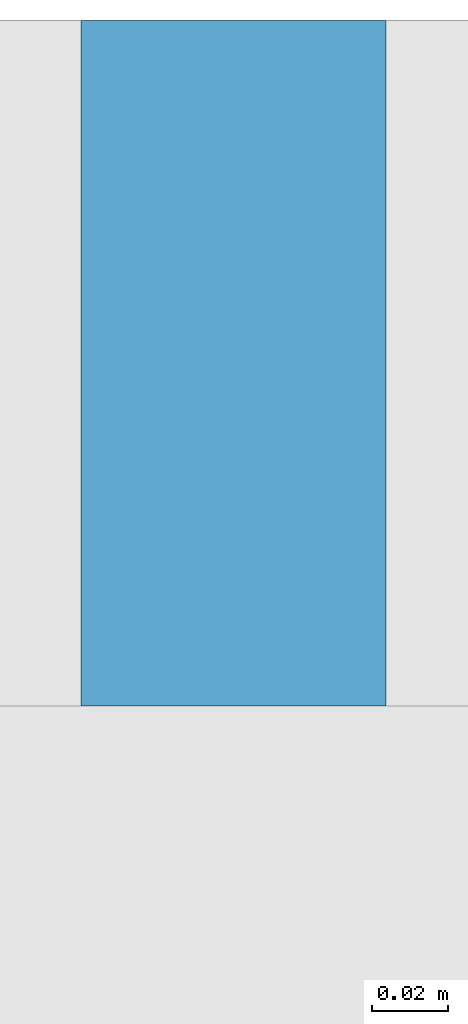
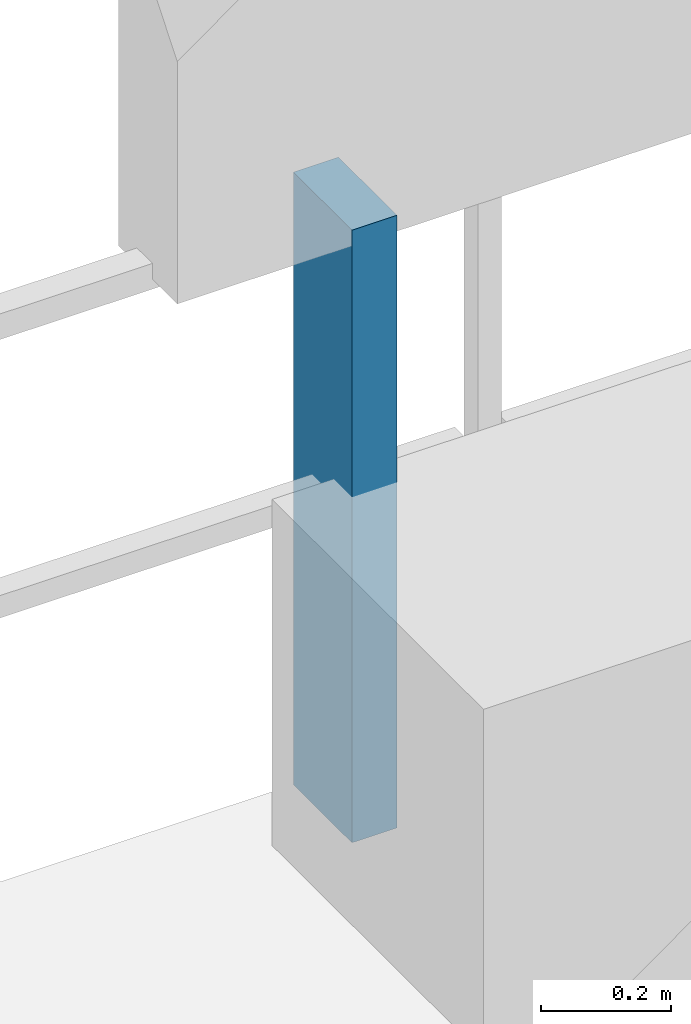
# One storey, part 24 of 29: 1 discrete accessory.
"""IFC4 building model written with IfcOpenShell, lengths in metres."""

import ifcopenshell
import ifcopenshell.guid

model = None  # the IFC model being written
_history = None  # IfcOwnerHistory: only IFC2X3 demands one
_inside = {}  # id of a spatial element -> (the spatial element, [elements in it])
_under = {}  # id of a project, library or spatial element -> (it, [spatial elements below it])
_declared = {}  # id of a project -> (the project, [libraries it declares])
_typed = {}  # id of a type object -> (the type object, [elements of that type])
_made_of = {}  # id of a material, layer set ... -> (it, [elements and type objects made of it])


def new_model(schema):
    """Start an empty IFC model of exactly this schema.

    Asked for "IFC4X3", IfcOpenShell would pick the latest addendum, in which some entities
    have other attributes; the version numbers below select the first issue.
    IFC2X3 requires an IfcOwnerHistory on every rooted entity: one is made here for all.
    """
    global model, _history
    if schema == "IFC4X3":
        model = ifcopenshell.file(schema_version=(4, 3, 0, 0))
    else:
        model = ifcopenshell.file(schema=schema)
    _inside.clear()
    _under.clear()
    _declared.clear()
    _typed.clear()
    _made_of.clear()
    _history = None
    if model.schema == "IFC2X3":
        org = make("IfcOrganization", Name="unknown")
        user = make(
            "IfcPersonAndOrganization",
            ThePerson=make("IfcPerson", FamilyName="unknown"),
            TheOrganization=org,
        )
        app = make(
            "IfcApplication",
            ApplicationDeveloper=org,
            Version="unknown",
            ApplicationFullName="unknown",
            ApplicationIdentifier="unknown",
        )
        _history = make(
            "IfcOwnerHistory",
            OwningUser=user,
            OwningApplication=app,
            ChangeAction="ADDED",
            CreationDate=0,
        )
    return model


def make(cls, **values):
    """One entity of the class cls with the attributes given. An attribute that is None is left unset."""
    return model.create_entity(
        cls, **{name: value for name, value in values.items() if value is not None}
    )


def rooted(cls, **values):
    """An entity with a GlobalId (a new one), such as an element, a storey or a relation."""
    return make(cls, GlobalId=ifcopenshell.guid.new(), OwnerHistory=_history, **values)


def si_unit(unit_type, name, prefix=None):
    """IfcSIUnit, for example si_unit("LENGTHUNIT", "METRE", prefix="MILLI")."""
    return make("IfcSIUnit", UnitType=unit_type, Prefix=prefix, Name=name)


def assignment(units):
    """IfcUnitAssignment: the units of a project."""
    return None if units is None else make("IfcUnitAssignment", Units=units)


def point(xyz):
    """IfcCartesianPoint."""
    return None if xyz is None else make("IfcCartesianPoint", Coordinates=xyz)


def direction(xyz):
    """IfcDirection."""
    return None if xyz is None else make("IfcDirection", DirectionRatios=xyz)


def frame(location, z_axis=None, x_axis=None):
    """IfcAxis2Placement3D, a coordinate frame: its origin and axes. An axis left out is left unset."""
    return make(
        "IfcAxis2Placement3D",
        Location=point(location),
        Axis=direction(z_axis),
        RefDirection=direction(x_axis),
    )


def frame_2d(location, x_axis=None):
    """IfcAxis2Placement2D, a coordinate frame in the plane: its origin and x axis."""
    return make(
        "IfcAxis2Placement2D", Location=point(location), RefDirection=direction(x_axis)
    )


def origin():
    """The frame at (0, 0, 0) with its axes left unset."""
    return frame((0.0, 0.0, 0.0))


def origin_2d():
    """The frame at (0, 0) in the plane with its x axis left unset."""
    return frame_2d((0.0, 0.0))


def place(relative_to, where):
    """IfcLocalPlacement: puts the frame where relative to a parent placement (None: the world)."""
    return make(
        "IfcLocalPlacement", PlacementRelTo=relative_to, RelativePlacement=where
    )


def context(
    kind, dimensions, precision=None, world=None, true_north=None, identifier=None
):
    """IfcGeometricRepresentationContext, for example the 3D "Model" context."""
    return make(
        "IfcGeometricRepresentationContext",
        ContextIdentifier=identifier,
        ContextType=kind,
        CoordinateSpaceDimension=dimensions,
        Precision=precision,
        WorldCoordinateSystem=world,
        TrueNorth=true_north,
    )


def subcontext(parent, identifier, kind, view, scale=None):
    """IfcGeometricRepresentationSubContext, for example "Body" below "Model"."""
    return make(
        "IfcGeometricRepresentationSubContext",
        ContextIdentifier=identifier,
        ContextType=kind,
        ParentContext=parent,
        TargetScale=scale,
        TargetView=view,
    )


def project(units=None, contexts=None):
    """IfcProject with its units and contexts."""
    return rooted(
        "IfcProject",
        Name="project",
        RepresentationContexts=contexts,
        UnitsInContext=assignment(units),
    )


def spatial(cls, under=None, at=None, **own):
    """A site, building, storey or space (cls), placed at a placement, below another one or the project."""
    s = rooted(cls, ObjectPlacement=at, **own)
    if under is not None:
        _under.setdefault(under.id(), (under, []))[1].append(s)
    return s


def profile(cls, at=None, kind="AREA", **sizes):
    """A parametric profile (cls). Its sizes go by their IFC names, for example OverallWidth=200.0."""
    return make(cls, ProfileType=kind, Position=at, **sizes)


def rectangle(**sizes):
    """IfcRectangleProfileDef."""
    return profile("IfcRectangleProfileDef", **sizes)


def extrude(swept, where, along, depth):
    """IfcExtrudedAreaSolid: the profile swept, set in the frame where, extruded along a direction by depth."""
    return make(
        "IfcExtrudedAreaSolid",
        SweptArea=swept,
        Position=where,
        ExtrudedDirection=direction(along),
        Depth=depth,
    )


def shape(context_of_items, identifier, shape_type, items):
    """IfcShapeRepresentation: the items that make up one representation, for example the "Body"."""
    return make(
        "IfcShapeRepresentation",
        ContextOfItems=context_of_items,
        RepresentationIdentifier=identifier,
        RepresentationType=shape_type,
        Items=items,
    )


def material(Name=None, Category=None):
    """IfcMaterial."""
    return make("IfcMaterial", Name=Name, Category=Category)


def made_of(thing, what):
    """Note that an element or type object is made of a material, layer set ...; save() writes the relation."""
    if what is not None:
        _made_of.setdefault(what.id(), (what, []))[1].append(thing)
    return thing


def type_object(cls, material=None, **own):
    """A type object (cls), such as IfcWallType, which elements share."""
    return made_of(rooted(cls, **own), material)


def element(
    cls,
    number,
    at=None,
    inside=None,
    cuts=None,
    type_object=None,
    material=None,
    context=None,
    identifier="Body",
    shape_type=None,
    held_by="IfcProductDefinitionShape",
    body=None,
    shapes=None,
    **own,
):
    """One element of the class cls, such as IfcWall. Its Tag is "e" and its number.

    at: its placement. inside: the storey or other place that contains it. cuts: it is an
    opening in that element (IfcRelVoidsElement). A single representation is given by context,
    identifier, shape_type and body (its items); several are given by shapes. held_by: the class
    of the entity that holds the representations. save() writes the other relations.
    """
    e = rooted(cls, Tag="e%d" % number, ObjectPlacement=at, **own)
    if body is not None:
        shapes = [shape(context, identifier, shape_type, body)]
    if shapes is not None:
        e.Representation = make(held_by, Representations=shapes)
    if inside is not None:
        _inside.setdefault(inside.id(), (inside, []))[1].append(e)
    if cuts is not None:
        rooted(
            "IfcRelVoidsElement", RelatingBuildingElement=cuts, RelatedOpeningElement=e
        )
    if type_object is not None:
        _typed.setdefault(type_object.id(), (type_object, []))[1].append(e)
    return made_of(e, material)


def aggregate(whole, parts):
    """IfcRelAggregates: a whole, such as a stair, and the parts it consists of."""
    return rooted("IfcRelAggregates", RelatingObject=whole, RelatedObjects=parts)


def save(model, path):
    """Write the relations noted so far, then the file.

    IfcRelAggregates (storeys below a building ...), IfcRelContainedInSpatialStructure (elements
    in a storey), IfcRelDefinesByType, IfcRelAssociatesMaterial and IfcRelDeclares: one each for
    every whole, place, type object, material and project.
    """
    for whole, parts in _under.values():
        aggregate(whole, parts)
    for where, things in _inside.values():
        rooted(
            "IfcRelContainedInSpatialStructure",
            RelatedElements=things,
            RelatingStructure=where,
        )
    for kind, things in _typed.values():
        rooted("IfcRelDefinesByType", RelatedObjects=things, RelatingType=kind)
    for what, things in _made_of.values():
        rooted("IfcRelAssociatesMaterial", RelatedObjects=things, RelatingMaterial=what)
    for by, libraries in _declared.values():
        rooted("IfcRelDeclares", RelatingContext=by, RelatedDefinitions=libraries)
    model.write(path)


model = new_model("IFC4")

# Units and contexts
model_context = context("Model", 3, precision=1e-05, world=origin(), true_north=direction((0.0, 1.0)))
body_context = subcontext(model_context, "Body", "Model", "MODEL_VIEW")
ifc_project = project(units=[si_unit("LENGTHUNIT", "METRE"), si_unit("AREAUNIT", "SQUARE_METRE"), si_unit("VOLUMEUNIT", "CUBIC_METRE"), si_unit("PLANEANGLEUNIT", "RADIAN"), si_unit("MASSUNIT", "GRAM", prefix="KILO")], contexts=[model_context])

# Site, building, storey
site_placement = place(None, origin())
site = spatial("IfcSite", under=ifc_project, at=site_placement, CompositionType="ELEMENT")
building_placement = place(site_placement, origin())
building = spatial("IfcBuilding", under=site, at=building_placement, Name="Thornwick Lancets Civic Towers", CompositionType="ELEMENT")
storey_placement = place(building_placement, frame((0.0, 0.0, 83.699951171875)))
storey = spatial("IfcBuildingStorey", under=building, at=storey_placement, Name="L21", CompositionType="ELEMENT", Elevation=83.699951171875)

# Discrete accessory
ifc_material = material(Name="Stainless steel S355", Category="steel")
discrete_accessory_type = type_object("IfcDiscreteAccessoryType", Name="ACC_SCREEN_BRACKET", PredefinedType="BRACKET", material=ifc_material)
discrete_accessory_placement = place(storey_placement, frame((24.050048828125, 52.260009765625, 0.0), z_axis=(0.0, 0.0, 1.0), x_axis=(1.0, 0.0, 0.0)))
element("IfcDiscreteAccessory", 1, at=discrete_accessory_placement, inside=storey, type_object=discrete_accessory_type, Name="L21 Tower A Balcony Screen Stanchion Bracket N-1", PredefinedType="BRACKET", context=body_context, shape_type="SweptSolid", body=[
    extrude(rectangle(XDim=0.080078125, YDim=0.179931640625, at=origin_2d()), origin(), (0.0, 0.0, 1.0), 1.14990234375),
])

save(model, "model.ifc")
